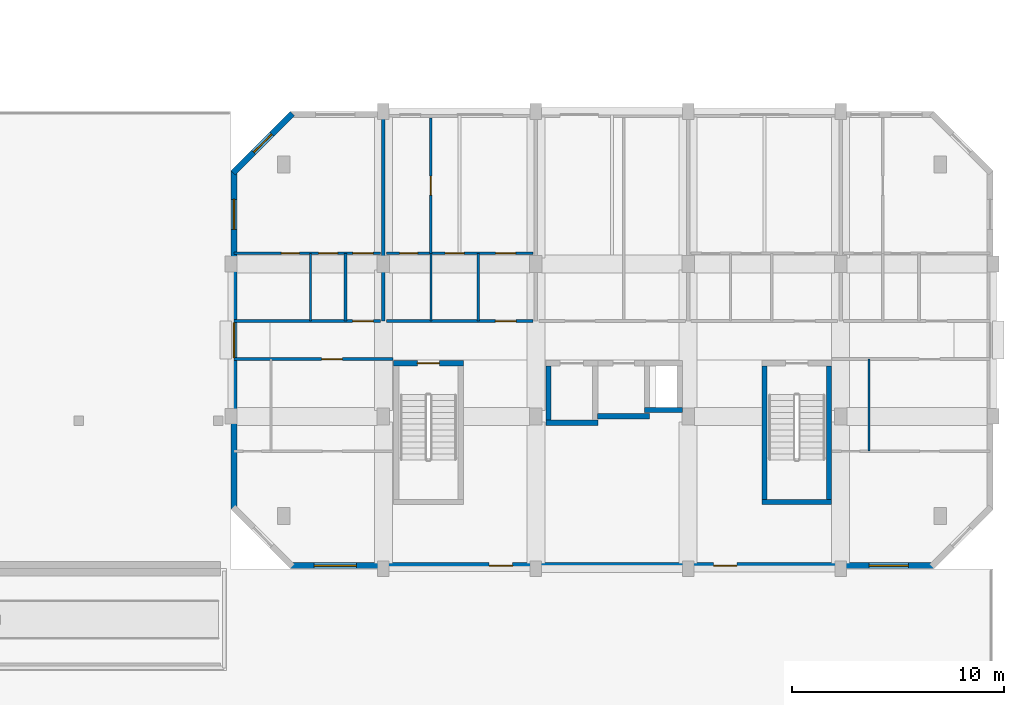
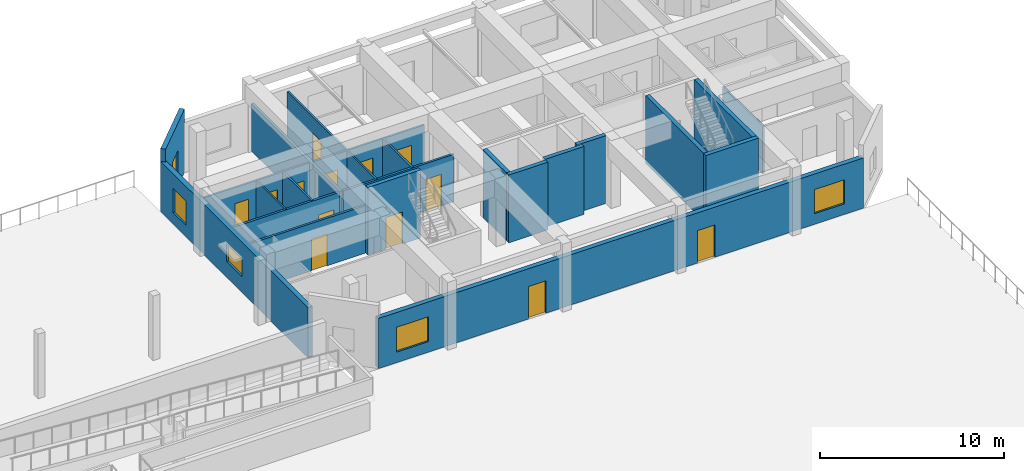
# One storey, part 68 of 85: 23 walls, 13 doors, 5 windows, 18 openings.
"""IFC4 building model written with IfcOpenShell, lengths in metres."""

from ifc_helpers import new_model, si_unit, direction, frame, frame_2d, origin, place, context, subcontext, project, spatial, rectangle, extrude, material, layer, layer_set, type_object, element, fill, save


model = new_model("IFC4")

# Units and contexts
model_context = context("Model", 3, precision=1e-05, world=origin(), true_north=direction((0.0, 1.0)))
body_context = subcontext(model_context, "Body", "Model", "MODEL_VIEW")
ifc_project = project(units=[si_unit("LENGTHUNIT", "METRE"), si_unit("AREAUNIT", "SQUARE_METRE"), si_unit("VOLUMEUNIT", "CUBIC_METRE"), si_unit("PLANEANGLEUNIT", "RADIAN"), si_unit("MASSUNIT", "GRAM", prefix="KILO")], contexts=[model_context])

# Site, building, storey
site_placement = place(None, origin())
site = spatial("IfcSite", under=ifc_project, at=site_placement, CompositionType="ELEMENT")
building_placement = place(site_placement, origin())
building = spatial("IfcBuilding", under=site, at=building_placement, Name="Ochrevale Crest", CompositionType="ELEMENT")
storey_placement = place(building_placement, origin())
storey = spatial("IfcBuildingStorey", under=building, at=storey_placement, Name="L00", CompositionType="ELEMENT", Elevation=0.0)

# Wall, opening, door
ifc_material_1 = material(Name="Gypsum plasterboard", Category="gypsum")
ifc_layer_1 = layer(ifc_material_1, 0.139892578125)
ifc_layer_set_1 = layer_set([ifc_layer_1], Name="Gypsum plasterboard")
wall_type_1 = type_object("IfcWallType", Name="WL-COR-140", PredefinedType="PARTITIONING", material=ifc_layer_set_1)
wall_1_placement = place(storey_placement, frame((129.739990234375, 83.699951171875, 0.0), z_axis=(0.0, 0.0, 1.0), x_axis=(1.0, 0.0, 0.0)))
wall_1 = element("IfcWall", 1, at=wall_1_placement, inside=storey, type_object=wall_type_1, Name="Apartment D-L00-U1 corridor wall", PredefinedType="PARTITIONING", context=body_context, shape_type="SweptSolid", body=[
    extrude(rectangle(XDim=6.919921875, YDim=0.139892578125, at=frame_2d((3.4599609375, 0.0))), origin(), (0.0, 0.0, 1.0), 3.14990234375),
])
opening_1_placement = place(wall_1_placement, frame((6.5849609375, 0.0, 0.0), z_axis=(0.0, 0.0, 1.0), x_axis=(-1.0, 0.0, 0.0)))
opening_1 = element("IfcOpeningElement", 2, at=opening_1_placement, cuts=wall_1, Name="Opening FD01", PredefinedType="OPENING", context=body_context, shape_type="SweptSolid", body=[
    extrude(rectangle(XDim=0.97998046875, YDim=2.10009765625, at=frame_2d((0.489990234375, 1.050048828125))), frame((0.0, 0.080078125, 0.0), z_axis=(0.0, -1.0, 0.0), x_axis=(1.0, 0.0, 0.0)), (0.0, 0.0, 1.0), 0.159912109375),
])
ifc_material_2 = material(Name="Solid-core FSC hardwood", Category="wood")
door_type_1 = type_object("IfcDoorType", Name="DR-APT-950", OperationType="NOTDEFINED", PredefinedType="DOOR", material=ifc_material_2)
door_1_placement = place(opening_1_placement, origin())
door_1 = element("IfcDoor", 3, at=door_1_placement, inside=storey, type_object=door_type_1, Name="Apartment D-L00-U1 entrance door", OperationType="SINGLE_SWING_RIGHT", OverallHeight=2.10009765625, OverallWidth=0.97998046875, PredefinedType="DOOR", context=body_context, shape_type="SweptSolid", body=[
    extrude(rectangle(XDim=0.97998046875, YDim=2.10009765625, at=frame_2d((0.489990234375, 1.050048828125))), frame((0.0, 0.02490234375, 0.0), z_axis=(0.0, -1.0, 0.0), x_axis=(1.0, 0.0, 0.0)), (0.0, 0.0, 1.0), 0.050048828125),
])
fill(opening_1, door_1)

wall_2_placement = place(storey_placement, frame((136.93994140625, 83.699951171875, 0.0), z_axis=(0.0, 0.0, 1.0), x_axis=(1.0, 0.0, 0.0)))
wall_2 = element("IfcWall", 4, at=wall_2_placement, inside=storey, type_object=wall_type_1, Name="Apartment D-L00-U2 corridor wall", PredefinedType="PARTITIONING", context=body_context, shape_type="SweptSolid", body=[
    extrude(rectangle(XDim=6.920166015625, YDim=0.139892578125, at=frame_2d((3.4599609375, 0.0))), origin(), (0.0, 0.0, 1.0), 3.14990234375),
])
opening_2_placement = place(wall_2_placement, frame((6.125, 0.0, 0.0), z_axis=(0.0, 0.0, 1.0), x_axis=(-1.0, 0.0, 0.0)))
opening_2 = element("IfcOpeningElement", 5, at=opening_2_placement, cuts=wall_2, Name="Opening FD01", PredefinedType="OPENING", context=body_context, shape_type="SweptSolid", body=[
    extrude(rectangle(XDim=0.97998046875, YDim=2.10009765625, at=frame_2d((0.489990234375, 1.050048828125))), frame((0.0, 0.080078125, 0.0), z_axis=(0.0, -1.0, 0.0), x_axis=(1.0, 0.0, 0.0)), (0.0, 0.0, 1.0), 0.159912109375),
])
door_2_placement = place(opening_2_placement, origin())
door_2 = element("IfcDoor", 6, at=door_2_placement, inside=storey, type_object=door_type_1, Name="Apartment D-L00-U2 entrance door", OperationType="SINGLE_SWING_RIGHT", OverallHeight=2.10009765625, OverallWidth=0.97998046875, PredefinedType="DOOR", context=body_context, shape_type="SweptSolid", body=[
    extrude(rectangle(XDim=0.97998046875, YDim=2.10009765625, at=frame_2d((0.489990234375, 1.050048828125))), frame((0.0, 0.02490234375, 0.0), z_axis=(0.0, -1.0, 0.0), x_axis=(1.0, 0.0, 0.0)), (0.0, 0.0, 1.0), 0.050048828125),
])
fill(opening_2, door_2)

wall_3_placement = place(storey_placement, frame((129.739990234375, 81.89990234375, 0.0), z_axis=(0.0, 0.0, 1.0), x_axis=(1.0, 0.0, 0.0)))
wall_3 = element("IfcWall", 7, at=wall_3_placement, inside=storey, type_object=wall_type_1, Name="Suite D-L00-CW corridor wall", PredefinedType="PARTITIONING", context=body_context, shape_type="SweptSolid", body=[
    extrude(rectangle(XDim=7.52001953125, YDim=0.139892578125, at=frame_2d((3.760009765625, 0.0))), origin(), (0.0, 0.0, 1.0), 3.14990234375),
])
opening_3_placement = place(wall_3_placement, frame((4.14501953125, 0.0, 0.0)))
opening_3 = element("IfcOpeningElement", 8, at=opening_3_placement, cuts=wall_3, Name="Opening FD01", PredefinedType="OPENING", context=body_context, shape_type="SweptSolid", body=[
    extrude(rectangle(XDim=0.97998046875, YDim=2.10009765625, at=frame_2d((0.489990234375, 1.050048828125))), frame((0.0, 0.080078125, 0.0), z_axis=(0.0, -1.0, 0.0), x_axis=(1.0, 0.0, 0.0)), (0.0, 0.0, 1.0), 0.159912109375),
])
door_3_placement = place(opening_3_placement, origin())
door_3 = element("IfcDoor", 9, at=door_3_placement, inside=storey, type_object=door_type_1, Name="Suite D-L00-CW entrance door", OperationType="SINGLE_SWING_LEFT", OverallHeight=2.10009765625, OverallWidth=0.97998046875, PredefinedType="DOOR", context=body_context, shape_type="SweptSolid", body=[
    extrude(rectangle(XDim=0.97998046875, YDim=2.10009765625, at=frame_2d((0.489990234375, 1.050048828125))), frame((0.0, 0.02490234375, 0.0), z_axis=(0.0, -1.0, 0.0), x_axis=(1.0, 0.0, 0.0)), (0.0, 0.0, 1.0), 0.050048828125),
])
fill(opening_3, door_3)

ifc_material_3 = material(Name="Precast concrete C50/60", Category="concrete")
ifc_layer_2 = layer(ifc_material_3, 0.2548828125)
ifc_layer_set_2 = layer_set([ifc_layer_2], Name="Precast concrete C50/60")
wall_type_2 = type_object("IfcWallType", Name="WL-CORE-255", PredefinedType="SHEAR", material=ifc_layer_set_2)
wall_4_placement = place(storey_placement, frame((137.2724609375, 81.699951171875, 0.0), z_axis=(0.0, 0.0, 1.0), x_axis=(1.0, 0.0, 0.0)))
wall_4 = element("IfcWall", 10, at=wall_4_placement, inside=storey, type_object=wall_type_2, Name="Block D L00 Stair 1 precast core shear wall N", PredefinedType="SHEAR", context=body_context, shape_type="SweptSolid", body=[
    extrude(rectangle(XDim=3.304931640625, YDim=0.2548828125, at=frame_2d((1.65234375, 0.0))), origin(), (0.0, 0.0, 1.0), 4.5),
])
opening_4_placement = place(wall_4_placement, frame((2.177490234375, 0.0, 0.0), z_axis=(0.0, 0.0, 1.0), x_axis=(-1.0, 0.0, 0.0)))
opening_4 = element("IfcOpeningElement", 11, at=opening_4_placement, cuts=wall_4, Name="Opening FD03", PredefinedType="OPENING", context=body_context, shape_type="SweptSolid", body=[
    extrude(rectangle(XDim=1.050048828125, YDim=2.1201171875, at=frame_2d((0.52490234375, 1.06005859375))), frame((0.0, 0.137451171875, 0.0), z_axis=(0.0, -1.0, 0.0), x_axis=(1.0, 0.0, 0.0)), (0.0, 0.0, 1.0), 0.27490234375),
])
door_type_2 = type_object("IfcDoorType", Name="DR-ST-1050", OperationType="NOTDEFINED", PredefinedType="DOOR", material=ifc_material_2)
door_4_placement = place(opening_4_placement, origin())
door_4 = element("IfcDoor", 12, at=door_4_placement, inside=storey, type_object=door_type_2, Name="Block D L00 fire stair 1 door", OperationType="SINGLE_SWING_RIGHT", OverallHeight=2.1201171875, OverallWidth=1.050048828125, PredefinedType="DOOR", context=body_context, shape_type="SweptSolid", body=[
    extrude(rectangle(XDim=1.050048828125, YDim=2.1201171875, at=frame_2d((0.52490234375, 1.06005859375))), frame((0.0, 0.02490234375, 0.0), z_axis=(0.0, -1.0, 0.0), x_axis=(1.0, 0.0, 0.0)), (0.0, 0.0, 1.0), 0.050048828125),
])
fill(opening_4, door_4)

# Walls
wall_5_placement = place(storey_placement, frame((154.672607421875, 75.14990234375, 0.0), z_axis=(0.0, 0.0, 1.0), x_axis=(1.0, 0.0, 0.0)))
element("IfcWall", 13, at=wall_5_placement, inside=storey, type_object=wall_type_2, Name="Block D L00 Stair 2 precast core shear wall S", PredefinedType="SHEAR", context=body_context, shape_type="SweptSolid", body=[
    extrude(rectangle(XDim=3.304931640625, YDim=0.2548828125, at=frame_2d((1.65234375, 0.0))), origin(), (0.0, 0.0, 1.0), 4.5),
])
for number, where, z_axis, x_axis, name in (
    (14, (154.800048828125, 75.277587890625, 0.0), (0.0, 0.0, 1.0), (0.0, 1.0, 0.0), "Block D L00 Stair 2 precast core shear wall W"),
    (15, (157.85009765625, 75.277587890625, 0.0), (0.0, 0.0, 1.0), (0.0, 1.0, 0.0), "Block D L00 Stair 2 precast core shear wall E"),
):
    element("IfcWall", number, at=place(storey_placement, frame(where, z_axis=z_axis, x_axis=x_axis)), inside=storey, type_object=wall_type_2, Name=name, PredefinedType="SHEAR", context=body_context, shape_type="SweptSolid", body=[
        extrude(rectangle(XDim=6.294921875, YDim=0.2548828125, at=frame_2d((3.1474609375, 0.0))), origin(), (0.0, 0.0, 1.0), 4.5),
    ])
wall_6_placement = place(storey_placement, frame((144.472412109375, 78.89990234375, 0.0), z_axis=(0.0, 0.0, 1.0), x_axis=(1.0, 0.0, 0.0)))
element("IfcWall", 16, at=wall_6_placement, inside=storey, type_object=wall_type_2, Name="Block D L00 Lift 1 precast shaft shear wall S", PredefinedType="SHEAR", context=body_context, shape_type="SweptSolid", body=[
    extrude(rectangle(XDim=2.455078125, YDim=0.2548828125, at=frame_2d((1.2275390625, 0.0))), origin(), (0.0, 0.0, 1.0), 4.5),
])
wall_7_placement = place(storey_placement, frame((144.60009765625, 79.027587890625, 0.0), z_axis=(0.0, 0.0, 1.0), x_axis=(0.0, 1.0, 0.0)))
element("IfcWall", 17, at=wall_7_placement, inside=storey, type_object=wall_type_2, Name="Block D L00 Lift 1 precast shaft shear wall W", PredefinedType="SHEAR", context=body_context, shape_type="SweptSolid", body=[
    extrude(rectangle(XDim=2.544921875, YDim=0.2548828125, at=frame_2d((1.2724609375, 0.0))), origin(), (0.0, 0.0, 1.0), 4.5),
])
wall_8_placement = place(storey_placement, frame((146.922607421875, 79.199951171875, 0.0), z_axis=(0.0, 0.0, 1.0), x_axis=(1.0, 0.0, 0.0)))
element("IfcWall", 18, at=wall_8_placement, inside=storey, type_object=wall_type_2, Name="Block D L00 Lift 2 precast shaft shear wall S", PredefinedType="SHEAR", context=body_context, shape_type="SweptSolid", body=[
    extrude(rectangle(XDim=2.454833984375, YDim=0.2548828125, at=frame_2d((1.2275390625, 0.0))), origin(), (0.0, 0.0, 1.0), 4.5),
])
wall_9_placement = place(storey_placement, frame((149.12255859375, 79.5, 0.0), z_axis=(0.0, 0.0, 1.0), x_axis=(1.0, 0.0, 0.0)))
element("IfcWall", 19, at=wall_9_placement, inside=storey, type_object=wall_type_2, Name="Block D L00 services riser shaft core wall S", PredefinedType="SHEAR", context=body_context, shape_type="SweptSolid", body=[
    extrude(rectangle(XDim=1.804931640625, YDim=0.2548828125, at=frame_2d((0.90234375, 0.0))), origin(), (0.0, 0.0, 1.0), 4.5),
])

# Wall, openings, doors, windows
ifc_material_4 = material(Name="Clay face brickwork", Category="masonry")
ifc_layer_3 = layer(ifc_material_4, 0.2900390625)
ifc_layer_set_3 = layer_set([ifc_layer_3], Name="Clay face brickwork")
wall_type_3 = type_object("IfcWallType", Name="WL-EXT-BRICK-290", PredefinedType="SOLIDWALL", material=ifc_layer_set_3)
wall_10_placement = place(storey_placement, frame((132.39990234375, 72.14501953125, 0.0), z_axis=(0.0, 0.0, 1.0), x_axis=(1.0, 0.0, 0.0)))
wall_10 = element("IfcWall", 20, at=wall_10_placement, inside=storey, type_object=wall_type_3, Name="Block D L00 external facade wall E1", PredefinedType="SOLIDWALL", context=body_context, shape_type="SweptSolid", body=[
    extrude(rectangle(XDim=30.400146484375, YDim=0.2900390625, at=frame_2d((15.2001953125, 0.0))), origin(), (0.0, 0.0, 1.0), 3.330078125),
])
opening_5_placement = place(wall_10_placement, frame((10.5, 0.0, 0.0), z_axis=(0.0, 0.0, 1.0), x_axis=(-1.0, 0.0, 0.0)))
opening_5 = element("IfcOpeningElement", 21, at=opening_5_placement, cuts=wall_10, Name="Opening ED06", PredefinedType="OPENING", context=body_context, shape_type="SweptSolid", body=[
    extrude(rectangle(XDim=1.10009765625, YDim=2.14990234375, at=frame_2d((0.550048828125, 1.074951171875))), frame((0.0, 0.155029296875, 0.0), z_axis=(0.0, -1.0, 0.0), x_axis=(1.0, 0.0, 0.0)), (0.0, 0.0, 1.0), 0.31005859375),
])
opening_6_placement = place(wall_10_placement, frame((21.10009765625, 0.0, 0.0), z_axis=(0.0, 0.0, 1.0), x_axis=(-1.0, 0.0, 0.0)))
opening_6 = element("IfcOpeningElement", 22, at=opening_6_placement, cuts=wall_10, Name="Opening ED06", PredefinedType="OPENING", context=body_context, shape_type="SweptSolid", body=[
    extrude(rectangle(XDim=1.10009765625, YDim=2.14990234375, at=frame_2d((0.550048828125, 1.074951171875))), frame((0.0, 0.155029296875, 0.0), z_axis=(0.0, -1.0, 0.0), x_axis=(1.0, 0.0, 0.0)), (0.0, 0.0, 1.0), 0.31005859375),
])
opening_7_placement = place(wall_10_placement, frame((27.342529296875, 0.0, 0.699951171875)))
opening_7 = element("IfcOpeningElement", 23, at=opening_7_placement, cuts=wall_10, Name="Opening W11", PredefinedType="OPENING", context=body_context, shape_type="SweptSolid", body=[
    extrude(rectangle(XDim=1.860107421875, YDim=1.60009765625, at=frame_2d((0.93017578125, 0.800048828125))), frame((0.0, 0.155029296875, 0.0), z_axis=(0.0, -1.0, 0.0), x_axis=(1.0, 0.0, 0.0)), (0.0, 0.0, 1.0), 0.31005859375),
])
opening_8_placement = place(wall_10_placement, frame((1.12744140625, 0.0, 0.699951171875)))
opening_8 = element("IfcOpeningElement", 24, at=opening_8_placement, cuts=wall_10, Name="Opening W12", PredefinedType="OPENING", context=body_context, shape_type="SweptSolid", body=[
    extrude(rectangle(XDim=2.0, YDim=1.64990234375, at=frame_2d((1.0, 0.824951171875))), frame((0.0, 0.155029296875, 0.0), z_axis=(0.0, -1.0, 0.0), x_axis=(1.0, 0.0, 0.0)), (0.0, 0.0, 1.0), 0.31005859375),
])
ifc_material_5 = material(Name="Anodised aluminium 6063-T5 and toughened glass", Category="aluminium")
door_type_3 = type_object("IfcDoorType", Name="DR-EXT-1100", OperationType="NOTDEFINED", PredefinedType="DOOR", material=ifc_material_5)
door_5_placement = place(opening_5_placement, origin())
door_5 = element("IfcDoor", 25, at=door_5_placement, inside=storey, type_object=door_type_3, Name="Block D fire-stair 1 final exit door", OperationType="SINGLE_SWING_RIGHT", OverallHeight=2.14990234375, OverallWidth=1.10009765625, PredefinedType="DOOR", context=body_context, shape_type="SweptSolid", body=[
    extrude(rectangle(XDim=1.10009765625, YDim=2.14990234375, at=frame_2d((0.550048828125, 1.074951171875))), frame((0.0, 0.02490234375, 0.0), z_axis=(0.0, -1.0, 0.0), x_axis=(1.0, 0.0, 0.0)), (0.0, 0.0, 1.0), 0.050048828125),
])
fill(opening_5, door_5)
door_6_placement = place(opening_6_placement, origin())
door_6 = element("IfcDoor", 26, at=door_6_placement, inside=storey, type_object=door_type_3, Name="Block D fire-stair 2 final exit door", OperationType="SINGLE_SWING_LEFT", OverallHeight=2.14990234375, OverallWidth=1.10009765625, PredefinedType="DOOR", context=body_context, shape_type="SweptSolid", body=[
    extrude(rectangle(XDim=1.10009765625, YDim=2.14990234375, at=frame_2d((0.550048828125, 1.074951171875))), frame((0.0, 0.02490234375, 0.0), z_axis=(0.0, -1.0, 0.0), x_axis=(1.0, 0.0, 0.0)), (0.0, 0.0, 1.0), 0.050048828125),
])
fill(opening_6, door_6)
ifc_material_6 = material(Name="Anodised aluminium 6063-T5 and low-E double glazing", Category="aluminium")
window_type_1 = type_object("IfcWindowType", Name="WIN-W11", PartitioningType="SINGLE_PANEL", PredefinedType="WINDOW", material=ifc_material_6)
window_1_placement = place(opening_7_placement, origin())
window_1 = element("IfcWindow", 27, at=window_1_placement, inside=storey, type_object=window_type_1, Name="Block D L00 Suite D-L00-CE Master Bedroom window", OverallHeight=1.60009765625, OverallWidth=1.860107421875, PartitioningType="SINGLE_PANEL", PredefinedType="WINDOW", context=body_context, shape_type="SweptSolid", body=[
    extrude(rectangle(XDim=1.860107421875, YDim=1.60009765625, at=frame_2d((0.93017578125, 0.800048828125))), frame((0.0, 0.030029296875, 0.0), z_axis=(0.0, -1.0, 0.0), x_axis=(1.0, 0.0, 0.0)), (0.0, 0.0, 1.0), 0.06005859375),
])
fill(opening_7, window_1)
window_type_2 = type_object("IfcWindowType", Name="WIN-W12", PartitioningType="SINGLE_PANEL", PredefinedType="WINDOW", material=ifc_material_6)
window_2_placement = place(opening_8_placement, origin())
window_2 = element("IfcWindow", 28, at=window_2_placement, inside=storey, type_object=window_type_2, Name="Block D L00 Suite D-L00-CW Quiet Reading Room window", OverallHeight=1.64990234375, OverallWidth=2.0, PartitioningType="SINGLE_PANEL", PredefinedType="WINDOW", context=body_context, shape_type="SweptSolid", body=[
    extrude(rectangle(XDim=2.0, YDim=1.64990234375, at=frame_2d((1.0, 0.824951171875))), frame((0.0, 0.030029296875, 0.0), z_axis=(0.0, -1.0, 0.0), x_axis=(1.0, 0.0, 0.0)), (0.0, 0.0, 1.0), 0.06005859375),
])
fill(opening_8, window_2)

# Wall, opening, window
wall_11_placement = place(storey_placement, frame((132.50244140625, 93.49755859375, 0.0), z_axis=(0.0, 0.0, 1.0), x_axis=(-0.707106781187, -0.707106781187, 0.0)))
wall_11 = element("IfcWall", 29, at=wall_11_placement, inside=storey, type_object=wall_type_3, Name="Block D L00 external facade wall E6", PredefinedType="SOLIDWALL", context=body_context, shape_type="SweptSolid", body=[
    extrude(rectangle(XDim=3.9599609375, YDim=0.2900390625, at=frame_2d((1.97998046875, 0.0))), origin(), (0.0, 0.0, 1.0), 4.175048828125),
])
opening_9_placement = place(wall_11_placement, frame((1.369873046875, 0.0, 0.85009765625)))
opening_9 = element("IfcOpeningElement", 30, at=opening_9_placement, cuts=wall_11, Name="Opening W06", PredefinedType="OPENING", context=body_context, shape_type="SweptSolid", body=[
    extrude(rectangle(XDim=1.219970703125, YDim=1.5, at=frame_2d((0.60986328125, 0.75))), frame((0.0, 0.155029296875, 0.0), z_axis=(0.0, -1.0, 0.0), x_axis=(1.0, 0.0, 0.0)), (0.0, 0.0, 1.0), 0.31005859375),
])
window_type_3 = type_object("IfcWindowType", Name="WIN-W06", PartitioningType="SINGLE_PANEL", PredefinedType="WINDOW", material=ifc_material_6)
window_3_placement = place(opening_9_placement, origin())
window_3 = element("IfcWindow", 31, at=window_3_placement, inside=storey, type_object=window_type_3, Name="Block D L00 corner room casement window 6", OverallHeight=1.5, OverallWidth=1.219970703125, PartitioningType="SINGLE_PANEL", PredefinedType="WINDOW", context=body_context, shape_type="SweptSolid", body=[
    extrude(rectangle(XDim=1.219970703125, YDim=1.5, at=frame_2d((0.60986328125, 0.75))), frame((0.0, 0.030029296875, 0.0), z_axis=(0.0, -1.0, 0.0), x_axis=(1.0, 0.0, 0.0)), (0.0, 0.0, 1.0), 0.06005859375),
])
fill(opening_9, window_3)

# Wall, openings, windows
wall_12_placement = place(storey_placement, frame((129.7451171875, 90.800048828125, 0.0), z_axis=(0.0, 0.0, 1.0), x_axis=(0.0, -1.0, 0.0)))
wall_12 = element("IfcWall", 32, at=wall_12_placement, inside=storey, type_object=wall_type_3, Name="Block D L00 external facade wall E7", PredefinedType="SOLIDWALL", context=body_context, shape_type="SweptSolid", body=[
    extrude(rectangle(XDim=16.0, YDim=0.2900390625, at=frame_2d((8.0, 0.0))), origin(), (0.0, 0.0, 1.0), 3.330078125),
])
opening_10_placement = place(wall_12_placement, frame((7.175048828125, 0.0, 1.050048828125)))
opening_10 = element("IfcOpeningElement", 33, at=opening_10_placement, cuts=wall_12, Name="Opening W19", PredefinedType="OPENING", context=body_context, shape_type="SweptSolid", body=[
    extrude(rectangle(XDim=1.64990234375, YDim=1.14990234375, at=frame_2d((0.824951171875, 0.574951171875))), frame((0.0, 0.155029296875, 0.0), z_axis=(0.0, -1.0, 0.0), x_axis=(1.0, 0.0, 0.0)), (0.0, 0.0, 1.0), 0.31005859375),
])
opening_11_placement = place(wall_12_placement, frame((1.35498046875, 0.0, 0.75)))
opening_11 = element("IfcOpeningElement", 34, at=opening_11_placement, cuts=wall_12, Name="Opening W31", PredefinedType="OPENING", context=body_context, shape_type="SweptSolid", body=[
    extrude(rectangle(XDim=1.419921875, YDim=1.60009765625, at=frame_2d((0.7099609375, 0.800048828125))), frame((0.0, 0.155029296875, 0.0), z_axis=(0.0, -1.0, 0.0), x_axis=(1.0, 0.0, 0.0)), (0.0, 0.0, 1.0), 0.31005859375),
])
window_type_4 = type_object("IfcWindowType", Name="WIN-W19", PartitioningType="SINGLE_PANEL", PredefinedType="WINDOW", material=ifc_material_6)
window_4_placement = place(opening_10_placement, origin())
window_4 = element("IfcWindow", 35, at=window_4_placement, inside=storey, type_object=window_type_4, Name="Block D L00 corridor end daylight window W", OverallHeight=1.14990234375, OverallWidth=1.64990234375, PartitioningType="SINGLE_PANEL", PredefinedType="WINDOW", context=body_context, shape_type="SweptSolid", body=[
    extrude(rectangle(XDim=1.64990234375, YDim=1.14990234375, at=frame_2d((0.824951171875, 0.574951171875))), frame((0.0, 0.030029296875, 0.0), z_axis=(0.0, -1.0, 0.0), x_axis=(1.0, 0.0, 0.0)), (0.0, 0.0, 1.0), 0.06005859375),
])
fill(opening_10, window_4)
window_type_5 = type_object("IfcWindowType", Name="WIN-W31", PartitioningType="SINGLE_PANEL", PredefinedType="WINDOW", material=ifc_material_6)
window_5_placement = place(opening_11_placement, origin())
window_5 = element("IfcWindow", 36, at=window_5_placement, inside=storey, type_object=window_type_5, Name="Block D L00 side suite window W", OverallHeight=1.60009765625, OverallWidth=1.419921875, PartitioningType="SINGLE_PANEL", PredefinedType="WINDOW", context=body_context, shape_type="SweptSolid", body=[
    extrude(rectangle(XDim=1.419921875, YDim=1.60009765625, at=frame_2d((0.7099609375, 0.800048828125))), frame((0.0, 0.030029296875, 0.0), z_axis=(0.0, -1.0, 0.0), x_axis=(1.0, 0.0, 0.0)), (0.0, 0.0, 1.0), 0.06005859375),
])
fill(opening_11, window_5)

# Wall
ifc_layer_4 = layer(ifc_material_1, 0.1201171875)
ifc_layer_set_4 = layer_set([ifc_layer_4], Name="Gypsum plasterboard")
wall_type_4 = type_object("IfcWallType", Name="WL-PART-120", PredefinedType="PARTITIONING", material=ifc_layer_set_4)
wall_13_placement = place(storey_placement, frame((135.010009765625, 83.699951171875, 0.0), z_axis=(0.0, 0.0, 1.0), x_axis=(0.0, 1.0, 0.0)))
element("IfcWall", 37, at=wall_13_placement, inside=storey, type_object=wall_type_4, Name="Apartment D-L00-U1 kitchen-foyer wall", PredefinedType="PARTITIONING", context=body_context, shape_type="SweptSolid", body=[
    extrude(rectangle(XDim=3.199951171875, YDim=0.1201171875, at=frame_2d((1.60009765625, 0.0))), origin(), (0.0, 0.0, 1.0), 3.14990234375),
])

# Wall, openings, doors
wall_14_placement = place(storey_placement, frame((129.739990234375, 86.89990234375, 0.0), z_axis=(0.0, 0.0, 1.0), x_axis=(1.0, 0.0, 0.0)))
wall_14 = element("IfcWall", 38, at=wall_14_placement, inside=storey, type_object=wall_type_4, Name="Apartment D-L00-U1 central partition", PredefinedType="PARTITIONING", context=body_context, shape_type="SweptSolid", body=[
    extrude(rectangle(XDim=6.919921875, YDim=0.1201171875, at=frame_2d((3.4599609375, 0.0))), origin(), (0.0, 0.0, 1.0), 3.14990234375),
])
opening_12_placement = place(wall_14_placement, frame((2.239990234375, 0.0, 0.0)))
opening_12 = element("IfcOpeningElement", 39, at=opening_12_placement, cuts=wall_14, Name="Opening ID01", PredefinedType="OPENING", context=body_context, shape_type="SweptSolid", body=[
    extrude(rectangle(XDim=0.85009765625, YDim=2.080078125, at=frame_2d((0.425048828125, 1.0400390625))), frame((0.0, 0.070068359375, 0.0), z_axis=(0.0, -1.0, 0.0), x_axis=(1.0, 0.0, 0.0)), (0.0, 0.0, 1.0), 0.14013671875),
])
opening_13_placement = place(wall_14_placement, frame((4.89501953125, 0.0, 0.0), z_axis=(0.0, 0.0, 1.0), x_axis=(-1.0, 0.0, 0.0)))
opening_13 = element("IfcOpeningElement", 40, at=opening_13_placement, cuts=wall_14, Name="Opening ID02", PredefinedType="OPENING", context=body_context, shape_type="SweptSolid", body=[
    extrude(rectangle(XDim=0.89990234375, YDim=2.080078125, at=frame_2d((0.449951171875, 1.0400390625))), frame((0.0, 0.070068359375, 0.0), z_axis=(0.0, -1.0, 0.0), x_axis=(1.0, 0.0, 0.0)), (0.0, 0.0, 1.0), 0.14013671875),
])
opening_14_placement = place(wall_14_placement, frame((5.6201171875, 0.0, 0.0)))
opening_14 = element("IfcOpeningElement", 41, at=opening_14_placement, cuts=wall_14, Name="Opening ID06", PredefinedType="OPENING", context=body_context, shape_type="SweptSolid", body=[
    extrude(rectangle(XDim=0.949951171875, YDim=2.080078125, at=frame_2d((0.47509765625, 1.0400390625))), frame((0.0, 0.070068359375, 0.0), z_axis=(0.0, -1.0, 0.0), x_axis=(1.0, 0.0, 0.0)), (0.0, 0.0, 1.0), 0.14013671875),
])
door_type_4 = type_object("IfcDoorType", Name="DR-INT-900", OperationType="NOTDEFINED", PredefinedType="DOOR", material=ifc_material_2)
door_7_placement = place(opening_13_placement, origin())
door_7 = element("IfcDoor", 42, at=door_7_placement, inside=storey, type_object=door_type_4, Name="Apartment D-L00-U1 Kitchen door", OperationType="SINGLE_SWING_RIGHT", OverallHeight=2.080078125, OverallWidth=0.89990234375, PredefinedType="DOOR", context=body_context, shape_type="SweptSolid", body=[
    extrude(rectangle(XDim=0.89990234375, YDim=2.080078125, at=frame_2d((0.449951171875, 1.0400390625))), frame((0.0, 0.02490234375, 0.0), z_axis=(0.0, -1.0, 0.0), x_axis=(1.0, 0.0, 0.0)), (0.0, 0.0, 1.0), 0.050048828125),
])
fill(opening_13, door_7)
door_type_5 = type_object("IfcDoorType", Name="DR-INT-950", OperationType="NOTDEFINED", PredefinedType="DOOR", material=ifc_material_2)
door_8_placement = place(opening_14_placement, origin())
door_8 = element("IfcDoor", 43, at=door_8_placement, inside=storey, type_object=door_type_5, Name="Apartment D-L00-U1 Living Foyer door", OperationType="SINGLE_SWING_LEFT", OverallHeight=2.080078125, OverallWidth=0.949951171875, PredefinedType="DOOR", context=body_context, shape_type="SweptSolid", body=[
    extrude(rectangle(XDim=0.949951171875, YDim=2.080078125, at=frame_2d((0.47509765625, 1.0400390625))), frame((0.0, 0.02490234375, 0.0), z_axis=(0.0, -1.0, 0.0), x_axis=(1.0, 0.0, 0.0)), (0.0, 0.0, 1.0), 0.050048828125),
])
fill(opening_14, door_8)
door_type_6 = type_object("IfcDoorType", Name="DR-WC-850", OperationType="NOTDEFINED", PredefinedType="DOOR", material=ifc_material_2)
door_9_placement = place(opening_12_placement, origin())
door_9 = element("IfcDoor", 44, at=door_9_placement, inside=storey, type_object=door_type_6, Name="Apartment D-L00-U1 Bathroom door", OperationType="SINGLE_SWING_LEFT", OverallHeight=2.080078125, OverallWidth=0.85009765625, PredefinedType="DOOR", context=body_context, shape_type="SweptSolid", body=[
    extrude(rectangle(XDim=0.85009765625, YDim=2.080078125, at=frame_2d((0.425048828125, 1.0400390625))), frame((0.0, 0.02490234375, 0.0), z_axis=(0.0, -1.0, 0.0), x_axis=(1.0, 0.0, 0.0)), (0.0, 0.0, 1.0), 0.050048828125),
])
fill(opening_12, door_9)

# Wall
wall_15_placement = place(storey_placement, frame((141.2900390625, 83.699951171875, 0.0), z_axis=(0.0, 0.0, 1.0), x_axis=(0.0, 1.0, 0.0)))
element("IfcWall", 45, at=wall_15_placement, inside=storey, type_object=wall_type_4, Name="Apartment D-L00-U2 kitchen-foyer wall", PredefinedType="PARTITIONING", context=body_context, shape_type="SweptSolid", body=[
    extrude(rectangle(XDim=3.199951171875, YDim=0.1201171875, at=frame_2d((1.60009765625, 0.0))), origin(), (0.0, 0.0, 1.0), 3.14990234375),
])

# Wall, openings, doors
wall_16_placement = place(storey_placement, frame((136.93994140625, 86.89990234375, 0.0), z_axis=(0.0, 0.0, 1.0), x_axis=(1.0, 0.0, 0.0)))
wall_16 = element("IfcWall", 46, at=wall_16_placement, inside=storey, type_object=wall_type_4, Name="Apartment D-L00-U2 central partition", PredefinedType="PARTITIONING", context=body_context, shape_type="SweptSolid", body=[
    extrude(rectangle(XDim=6.920166015625, YDim=0.1201171875, at=frame_2d((3.4599609375, 0.0))), origin(), (0.0, 0.0, 1.0), 3.14990234375),
])
opening_15_placement = place(wall_16_placement, frame((0.625, 0.0, 0.0)))
opening_15 = element("IfcOpeningElement", 47, at=opening_15_placement, cuts=wall_16, Name="Opening ID01", PredefinedType="OPENING", context=body_context, shape_type="SweptSolid", body=[
    extrude(rectangle(XDim=0.85009765625, YDim=2.080078125, at=frame_2d((0.425048828125, 1.0400390625))), frame((0.0, 0.070068359375, 0.0), z_axis=(0.0, -1.0, 0.0), x_axis=(1.0, 0.0, 0.0)), (0.0, 0.0, 1.0), 0.14013671875),
])
opening_16_placement = place(wall_16_placement, frame((3.6748046875, 0.0, 0.0), z_axis=(0.0, 0.0, 1.0), x_axis=(-1.0, 0.0, 0.0)))
opening_16 = element("IfcOpeningElement", 48, at=opening_16_placement, cuts=wall_16, Name="Opening ID02", PredefinedType="OPENING", context=body_context, shape_type="SweptSolid", body=[
    extrude(rectangle(XDim=0.89990234375, YDim=2.080078125, at=frame_2d((0.449951171875, 1.0400390625))), frame((0.0, 0.070068359375, 0.0), z_axis=(0.0, -1.0, 0.0), x_axis=(1.0, 0.0, 0.0)), (0.0, 0.0, 1.0), 0.14013671875),
])
opening_17_placement = place(wall_16_placement, frame((5.159912109375, 0.0, 0.0)))
opening_17 = element("IfcOpeningElement", 49, at=opening_17_placement, cuts=wall_16, Name="Opening ID06", PredefinedType="OPENING", context=body_context, shape_type="SweptSolid", body=[
    extrude(rectangle(XDim=0.949951171875, YDim=2.080078125, at=frame_2d((0.47509765625, 1.0400390625))), frame((0.0, 0.070068359375, 0.0), z_axis=(0.0, -1.0, 0.0), x_axis=(1.0, 0.0, 0.0)), (0.0, 0.0, 1.0), 0.14013671875),
])
door_10_placement = place(opening_16_placement, origin())
door_10 = element("IfcDoor", 50, at=door_10_placement, inside=storey, type_object=door_type_4, Name="Apartment D-L00-U2 Kitchen door", OperationType="SINGLE_SWING_RIGHT", OverallHeight=2.080078125, OverallWidth=0.89990234375, PredefinedType="DOOR", context=body_context, shape_type="SweptSolid", body=[
    extrude(rectangle(XDim=0.89990234375, YDim=2.080078125, at=frame_2d((0.449951171875, 1.0400390625))), frame((0.0, 0.02490234375, 0.0), z_axis=(0.0, -1.0, 0.0), x_axis=(1.0, 0.0, 0.0)), (0.0, 0.0, 1.0), 0.050048828125),
])
fill(opening_16, door_10)
door_11_placement = place(opening_17_placement, origin())
door_11 = element("IfcDoor", 51, at=door_11_placement, inside=storey, type_object=door_type_5, Name="Apartment D-L00-U2 Living Foyer door", OperationType="SINGLE_SWING_LEFT", OverallHeight=2.080078125, OverallWidth=0.949951171875, PredefinedType="DOOR", context=body_context, shape_type="SweptSolid", body=[
    extrude(rectangle(XDim=0.949951171875, YDim=2.080078125, at=frame_2d((0.47509765625, 1.0400390625))), frame((0.0, 0.02490234375, 0.0), z_axis=(0.0, -1.0, 0.0), x_axis=(1.0, 0.0, 0.0)), (0.0, 0.0, 1.0), 0.050048828125),
])
fill(opening_17, door_11)
door_12_placement = place(opening_15_placement, origin())
door_12 = element("IfcDoor", 52, at=door_12_placement, inside=storey, type_object=door_type_6, Name="Apartment D-L00-U2 Bathroom door", OperationType="SINGLE_SWING_LEFT", OverallHeight=2.080078125, OverallWidth=0.85009765625, PredefinedType="DOOR", context=body_context, shape_type="SweptSolid", body=[
    extrude(rectangle(XDim=0.85009765625, YDim=2.080078125, at=frame_2d((0.425048828125, 1.0400390625))), frame((0.0, 0.02490234375, 0.0), z_axis=(0.0, -1.0, 0.0), x_axis=(1.0, 0.0, 0.0)), (0.0, 0.0, 1.0), 0.050048828125),
])
fill(opening_15, door_12)

# Wall, opening, door
wall_17_placement = place(storey_placement, frame((139.0400390625, 86.89990234375, 0.0), z_axis=(0.0, 0.0, 1.0), x_axis=(0.0, 1.0, 0.0)))
wall_17 = element("IfcWall", 53, at=wall_17_placement, inside=storey, type_object=wall_type_4, Name="Apartment D-L00-U2 bedroom partition", PredefinedType="PARTITIONING", context=body_context, shape_type="SweptSolid", body=[
    extrude(rectangle(XDim=6.400146484375, YDim=0.1201171875, at=frame_2d((3.2001953125, 0.0))), origin(), (0.0, 0.0, 1.0), 3.14990234375),
])
opening_18_placement = place(wall_17_placement, frame((3.64990234375, 0.0, 0.0), z_axis=(0.0, 0.0, 1.0), x_axis=(-1.0, 0.0, 0.0)))
opening_18 = element("IfcOpeningElement", 54, at=opening_18_placement, cuts=wall_17, Name="Opening ID02", PredefinedType="OPENING", context=body_context, shape_type="SweptSolid", body=[
    extrude(rectangle(XDim=0.89990234375, YDim=2.080078125, at=frame_2d((0.449951171875, 1.0400390625))), frame((0.0, 0.070068359375, 0.0), z_axis=(0.0, -1.0, 0.0), x_axis=(1.0, 0.0, 0.0)), (0.0, 0.0, 1.0), 0.14013671875),
])
door_13_placement = place(opening_18_placement, origin())
door_13 = element("IfcDoor", 55, at=door_13_placement, inside=storey, type_object=door_type_4, Name="Apartment D-L00-U2 Master Bedroom door", OperationType="SINGLE_SWING_RIGHT", OverallHeight=2.080078125, OverallWidth=0.89990234375, PredefinedType="DOOR", context=body_context, shape_type="SweptSolid", body=[
    extrude(rectangle(XDim=0.89990234375, YDim=2.080078125, at=frame_2d((0.449951171875, 1.0400390625))), frame((0.0, 0.02490234375, 0.0), z_axis=(0.0, -1.0, 0.0), x_axis=(1.0, 0.0, 0.0)), (0.0, 0.0, 1.0), 0.050048828125),
])
fill(opening_18, door_13)

# Walls
ifc_layer_5 = layer(ifc_material_1, 0.169921875)
ifc_layer_set_5 = layer_set([ifc_layer_5], Name="Gypsum plasterboard")
wall_type_5 = type_object("IfcWallType", Name="WL-TEN-170", PredefinedType="PARTITIONING", material=ifc_layer_set_5)
wall_18_placement = place(storey_placement, frame((136.800048828125, 83.699951171875, 0.0), z_axis=(0.0, 0.0, 1.0), x_axis=(0.0, 1.0, 0.0)))
element("IfcWall", 56, at=wall_18_placement, inside=storey, type_object=wall_type_5, Name="Block D L00 inter-tenancy wall 1", PredefinedType="PARTITIONING", context=body_context, shape_type="SweptSolid", body=[
    extrude(rectangle(XDim=9.60009765625, YDim=0.169921875, at=frame_2d((4.800048828125, 0.0))), origin(), (0.0, 0.0, 1.0), 3.14990234375),
])
ifc_layer_6 = layer(ifc_material_1, 0.10009765625)
ifc_layer_set_6 = layer_set([ifc_layer_6], Name="Gypsum plasterboard")
wall_type_6 = type_object("IfcWallType", Name="WL-WET-100", PredefinedType="PARTITIONING", material=ifc_layer_set_6)
for number, where, z_axis, x_axis, name in (
    (57, (133.360107421875, 83.699951171875, 0.0), (0.0, 0.0, 1.0), (0.0, 1.0, 0.0), "Apartment D-L00-U1 bath-kitchen wall"),
    (58, (139.0400390625, 83.699951171875, 0.0), (0.0, 0.0, 1.0), (0.0, 1.0, 0.0), "Apartment D-L00-U2 bath-kitchen wall"),
):
    element("IfcWall", number, at=place(storey_placement, frame(where, z_axis=z_axis, x_axis=x_axis)), inside=storey, type_object=wall_type_6, Name=name, PredefinedType="PARTITIONING", context=body_context, shape_type="SweptSolid", body=[
        extrude(rectangle(XDim=3.199951171875, YDim=0.10009765625, at=frame_2d((1.60009765625, 0.0))), origin(), (0.0, 0.0, 1.0), 3.14990234375),
    ])
wall_19_placement = place(storey_placement, frame((159.739990234375, 77.550048828125, 0.0), z_axis=(0.0, 0.0, 1.0), x_axis=(0.0, 1.0, 0.0)))
element("IfcWall", 59, at=wall_19_placement, inside=storey, type_object=wall_type_6, Name="Suite D-L00-CE bathroom divider", PredefinedType="PARTITIONING", context=body_context, shape_type="SweptSolid", body=[
    extrude(rectangle(XDim=4.349853515625, YDim=0.10009765625, at=frame_2d((2.1748046875, 0.0))), origin(), (0.0, 0.0, 1.0), 3.14990234375),
])

save(model, "model.ifc")
